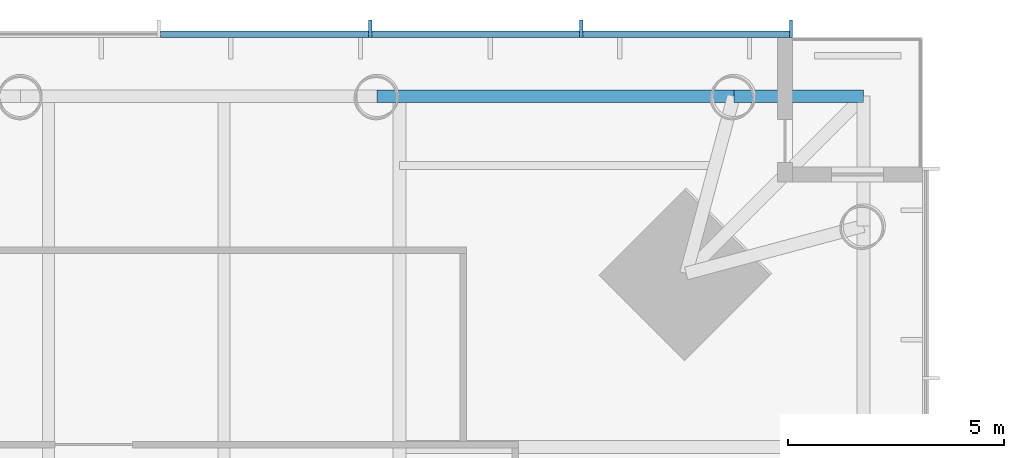
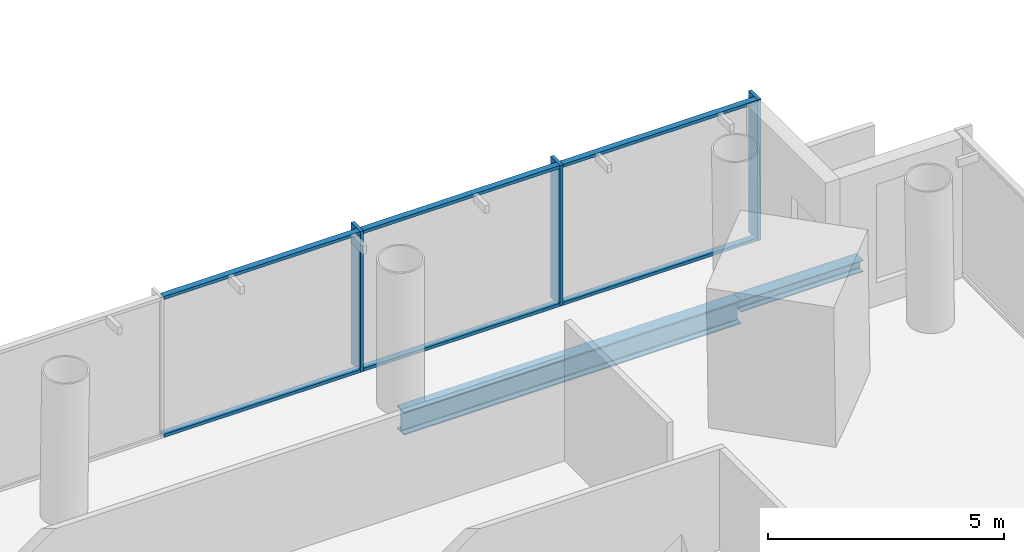
# One storey, part 5 of 21: 9 members, 2 beams, 1 element without a shape of its own.
"""IFC4 building model written with IfcOpenShell, lengths in metres."""

from ifc_helpers import new_model, si_unit, direction, frame, origin, origin_2d, place, context, subcontext, project, spatial, rectangle, i_section, extrude, material, material_profile, profile_set, type_object, element, aggregate, save


model = new_model("IFC4")

# Units and contexts
model_context = context("Model", 3, precision=1e-05, world=origin(), true_north=direction((0.0, 1.0)))
body_context = subcontext(model_context, "Body", "Model", "MODEL_VIEW")
ifc_project = project(units=[si_unit("LENGTHUNIT", "METRE"), si_unit("AREAUNIT", "SQUARE_METRE"), si_unit("VOLUMEUNIT", "CUBIC_METRE"), si_unit("PLANEANGLEUNIT", "RADIAN"), si_unit("MASSUNIT", "GRAM", prefix="KILO")], contexts=[model_context])

# Site, building, storey
site_placement = place(None, origin())
site = spatial("IfcSite", under=ifc_project, at=site_placement, CompositionType="ELEMENT")
building_placement = place(site_placement, origin())
building = spatial("IfcBuilding", under=site, at=building_placement, Name="Ostroluk Exchange", CompositionType="ELEMENT")
storey_placement = place(building_placement, frame((0.0, 0.0, 32.39990234375)))
storey = spatial("IfcBuildingStorey", under=building, at=storey_placement, Name="L07", CompositionType="ELEMENT", Elevation=32.39990234375)

# Beams
ifc_material_1 = material(Name="Steel S355", Category="steel")
ifc_material_profile_1 = material_profile(ifc_material_1, i_section(OverallWidth=0.300048828125, OverallDepth=0.300048828125, WebThickness=0.010986328125, FlangeThickness=0.01904296875, FilletRadius=0.027099609375, at=origin_2d()), Name="HEB 300")
ifc_profile_set_1 = profile_set([ifc_material_profile_1], Name="Steel S355")
beam_type_1 = type_object("IfcBeamType", Name="Balcony beam HEB 300", PredefinedType="BEAM", material=ifc_profile_set_1)
beam_1_placement = place(storey_placement, frame((65.6357421875, 69.6357421875, -0.329833984375), z_axis=(1.0, 0.0, 0.0), x_axis=(0.0, 1.0, 0.0)))
element("IfcBeam", 1, at=beam_1_placement, inside=storey, type_object=beam_type_1, Name="T1 east balcony beam b", PredefinedType="BEAM", context=body_context, shape_type="SweptSolid", body=[
    extrude(i_section(OverallWidth=0.300048828125, OverallDepth=0.300048828125, WebThickness=0.010986328125, FlangeThickness=0.01904296875, FilletRadius=0.027099609375, at=origin_2d()), origin(), (0.0, 0.0, 1.0), 3.0),
])
ifc_material_2 = material(Name="Steel S355", Category="steel")
ifc_material_profile_2 = material_profile(ifc_material_2, i_section(OverallWidth=0.300048828125, OverallDepth=0.60009765625, WebThickness=0.015380859375, FlangeThickness=0.030029296875, FilletRadius=0.027099609375, at=origin_2d()), Name="HEB 600")
ifc_profile_set_2 = profile_set([ifc_material_profile_2], Name="Steel S355")
beam_type_2 = type_object("IfcBeamType", Name="Moment-connected edge beam HEB 600", PredefinedType="SPANDREL", material=ifc_profile_set_2)
beam_2_placement = place(storey_placement, frame((65.6357421875, 69.6357421875, -0.47998046875), z_axis=(-1.0, 0.0, 0.0), x_axis=(0.0, -1.0, 0.0)))
element("IfcBeam", 2, at=beam_2_placement, inside=storey, type_object=beam_type_2, Name="T1 north edge beam 1", PredefinedType="SPANDREL", context=body_context, shape_type="SweptSolid", body=[
    extrude(i_section(OverallWidth=0.300048828125, OverallDepth=0.60009765625, WebThickness=0.015380859375, FlangeThickness=0.030029296875, FilletRadius=0.027099609375, at=origin_2d()), origin(), (0.0, 0.0, 1.0), 8.25439453125),
])

# Curtain wall, members
ifc_material_3 = material(Name="Laminated clear glass", Category="glass")
curtain_wall_type = type_object("IfcCurtainWallType", Name="Office tower facade", PredefinedType="USERDEFINED", material=ifc_material_3)
curtain_wall_placement = place(storey_placement, origin())
curtain_wall = element("IfcCurtainWall", 3, at=curtain_wall_placement, inside=storey, type_object=curtain_wall_type, Name="Office tower north facade L07", ObjectType="UNITISED CURTAIN WALL", PredefinedType="USERDEFINED")
ifc_material_4 = material(Name="Aluminium mullion", Category="aluminium")
ifc_material_profile_3 = material_profile(ifc_material_4, rectangle(XDim=0.14990234375, YDim=0.080078125, at=origin_2d()), Name="Sill transom 80 x 150")
ifc_profile_set_3 = profile_set([ifc_material_profile_3], Name="Aluminium mullion")
member_type_1 = type_object("IfcMemberType", Name="Sill transom 80 x 150", PredefinedType="USERDEFINED", material=ifc_profile_set_3)
member_1_placement = place(storey_placement, frame((66.919921875, 71.074951171875, 0.0400390625), z_axis=(-1.0, 0.0, 0.0), x_axis=(0.0, -1.0, 0.0)))
member_1 = element("IfcMember", 4, at=member_1_placement, type_object=member_type_1, Name="CW-O1 transom 1.1", ObjectType="TRANSOM", PredefinedType="USERDEFINED", context=body_context, shape_type="SweptSolid", body=[
    extrude(rectangle(XDim=0.14990234375, YDim=0.080078125, at=origin_2d()), origin(), (0.0, 0.0, 1.0), 4.768798828125),
])
member_2_placement = place(storey_placement, frame((66.919921875, 71.074951171875, 3.610107421875), z_axis=(-1.0, 0.0, 0.0), x_axis=(0.0, -1.0, 0.0)))
member_2 = element("IfcMember", 5, at=member_2_placement, type_object=member_type_1, Name="CW-O1 transom 1.2", ObjectType="TRANSOM", PredefinedType="USERDEFINED", context=body_context, shape_type="SweptSolid", body=[
    extrude(rectangle(XDim=0.14990234375, YDim=0.080078125, at=origin_2d()), origin(), (0.0, 0.0, 1.0), 4.768798828125),
])
member_3_placement = place(storey_placement, frame((62.071044921875, 71.074951171875, 0.0400390625), z_axis=(-1.0, 0.0, 0.0), x_axis=(0.0, -1.0, 0.0)))
member_3 = element("IfcMember", 6, at=member_3_placement, type_object=member_type_1, Name="CW-O1 transom 2.1", ObjectType="TRANSOM", PredefinedType="USERDEFINED", context=body_context, shape_type="SweptSolid", body=[
    extrude(rectangle(XDim=0.14990234375, YDim=0.080078125, at=origin_2d()), origin(), (0.0, 0.0, 1.0), 4.808837890625),
])
member_4_placement = place(storey_placement, frame((62.071044921875, 71.074951171875, 3.610107421875), z_axis=(-1.0, 0.0, 0.0), x_axis=(0.0, -1.0, 0.0)))
member_4 = element("IfcMember", 7, at=member_4_placement, type_object=member_type_1, Name="CW-O1 transom 2.2", ObjectType="TRANSOM", PredefinedType="USERDEFINED", context=body_context, shape_type="SweptSolid", body=[
    extrude(rectangle(XDim=0.14990234375, YDim=0.080078125, at=origin_2d()), origin(), (0.0, 0.0, 1.0), 4.808837890625),
])
member_5_placement = place(storey_placement, frame((57.18212890625, 71.074951171875, 0.0400390625), z_axis=(-1.0, 0.0, 0.0), x_axis=(0.0, -1.0, 0.0)))
member_5 = element("IfcMember", 8, at=member_5_placement, type_object=member_type_1, Name="CW-O1 transom 3.1", ObjectType="TRANSOM", PredefinedType="USERDEFINED", context=body_context, shape_type="SweptSolid", body=[
    extrude(rectangle(XDim=0.14990234375, YDim=0.080078125, at=origin_2d()), origin(), (0.0, 0.0, 1.0), 4.808837890625),
])
member_6_placement = place(storey_placement, frame((57.18212890625, 71.074951171875, 3.610107421875), z_axis=(-1.0, 0.0, 0.0), x_axis=(0.0, -1.0, 0.0)))
member_6 = element("IfcMember", 9, at=member_6_placement, type_object=member_type_1, Name="CW-O1 transom 3.2", ObjectType="TRANSOM", PredefinedType="USERDEFINED", context=body_context, shape_type="SweptSolid", body=[
    extrude(rectangle(XDim=0.14990234375, YDim=0.080078125, at=origin_2d()), origin(), (0.0, 0.0, 1.0), 4.808837890625),
])
ifc_material_5 = material(Name="Aluminium mullion with limestone facing", Category="masonry")
ifc_material_profile_4 = material_profile(ifc_material_5, rectangle(XDim=0.39990234375, YDim=0.080078125, at=origin_2d()), Name="Tracery mullion 80 x 400")
ifc_profile_set_4 = profile_set([ifc_material_profile_4], Name="Aluminium mullion with limestone facing")
member_type_2 = type_object("IfcMemberType", Name="Tracery mullion 80 x 400", PredefinedType="MULLION", material=ifc_profile_set_4)
member_7_placement = place(storey_placement, frame((66.9599609375, 71.199951171875, 0.0), z_axis=(0.0, 0.0, 1.0), x_axis=(0.0, -1.0, 0.0)))
member_7 = element("IfcMember", 10, at=member_7_placement, type_object=member_type_2, Name="CW-O1 mullion 1", PredefinedType="MULLION", context=body_context, shape_type="SweptSolid", body=[
    extrude(rectangle(XDim=0.39990234375, YDim=0.080078125, at=origin_2d()), origin(), (0.0, 0.0, 1.0), 3.650146484375),
])
member_8_placement = place(storey_placement, frame((62.111083984375, 71.199951171875, 0.0), z_axis=(0.0, 0.0, 1.0), x_axis=(0.0, -1.0, 0.0)))
member_8 = element("IfcMember", 11, at=member_8_placement, type_object=member_type_2, Name="CW-O1 mullion 2", PredefinedType="MULLION", context=body_context, shape_type="SweptSolid", body=[
    extrude(rectangle(XDim=0.39990234375, YDim=0.080078125, at=origin_2d()), origin(), (0.0, 0.0, 1.0), 3.650146484375),
])
member_9_placement = place(storey_placement, frame((57.22216796875, 71.199951171875, 0.0), z_axis=(0.0, 0.0, 1.0), x_axis=(0.0, -1.0, 0.0)))
member_9 = element("IfcMember", 12, at=member_9_placement, type_object=member_type_2, Name="CW-O1 mullion 3", PredefinedType="MULLION", context=body_context, shape_type="SweptSolid", body=[
    extrude(rectangle(XDim=0.39990234375, YDim=0.080078125, at=origin_2d()), origin(), (0.0, 0.0, 1.0), 3.650146484375),
])
aggregate(curtain_wall, [member_7, member_8, member_9, member_1, member_2, member_3, member_4, member_5, member_6])

save(model, "model.ifc")
